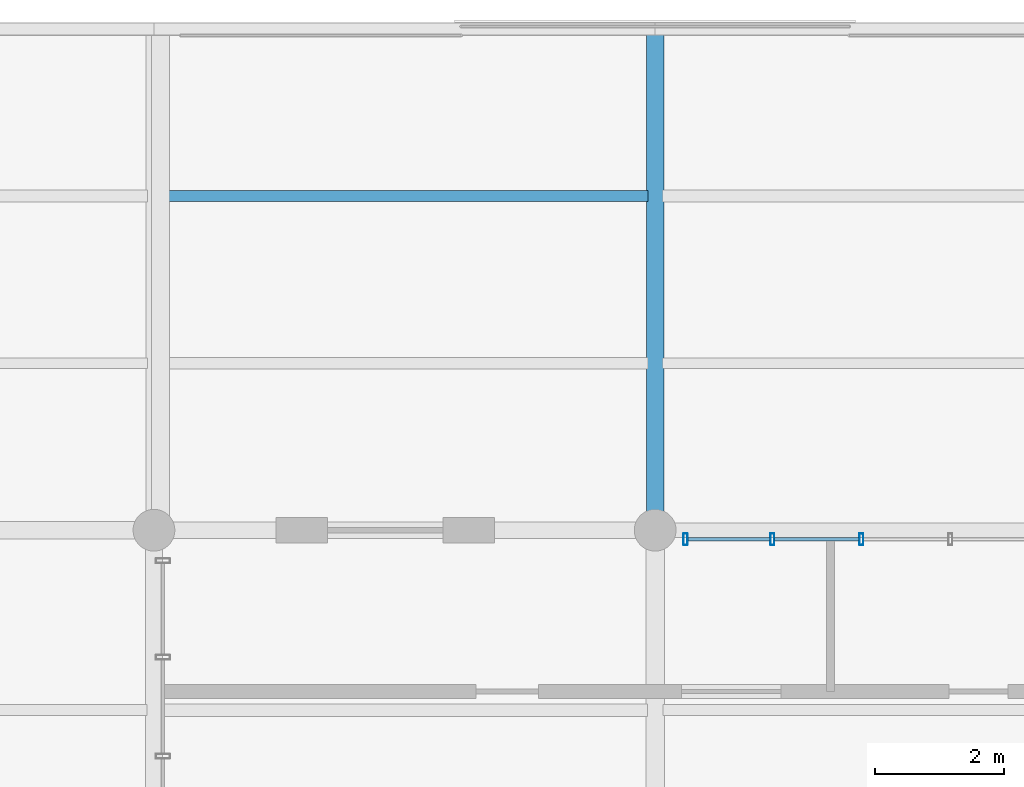
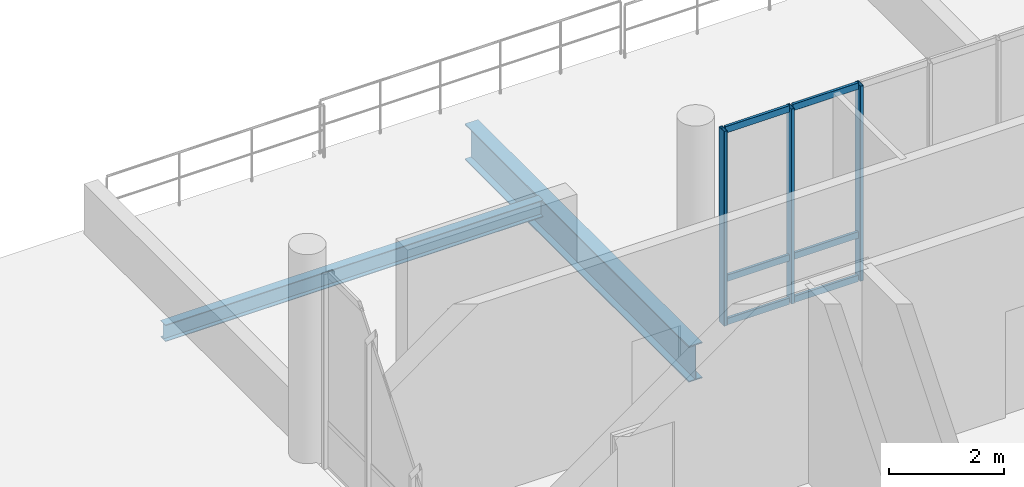
# One storey, part 46 of 66: 9 members, 2 beams, 1 element without a shape of its own.
"""IFC4 building model written with IfcOpenShell, lengths in metres."""

from ifc_helpers import new_model, si_unit, direction, frame, origin_with_axes, origin_2d_with_axis, place, context, subcontext, project, spatial, hollow_rectangle, i_section, extrude, material, material_profile, profile_set, type_object, element, aggregate, save


model = new_model("IFC4")

# Units and contexts
model_context = context("Model", 3, precision=1e-05, world=origin_with_axes(), true_north=direction((0.0, 1.0)))
body_context = subcontext(model_context, "Body", "Model", "MODEL_VIEW")
ifc_project = project(units=[si_unit("LENGTHUNIT", "METRE"), si_unit("AREAUNIT", "SQUARE_METRE"), si_unit("VOLUMEUNIT", "CUBIC_METRE"), si_unit("PLANEANGLEUNIT", "RADIAN"), si_unit("MASSUNIT", "GRAM", prefix="KILO"), si_unit("THERMODYNAMICTEMPERATUREUNIT", "KELVIN")], contexts=[model_context])

# Site, building, storey
site_placement = place(None, origin_with_axes())
site = spatial("IfcSite", under=ifc_project, at=site_placement, CompositionType="ELEMENT")
building_placement = place(site_placement, origin_with_axes())
building = spatial("IfcBuilding", under=site, at=building_placement, Name="Montbau Bow Law Courts", CompositionType="ELEMENT")
storey_placement = place(building_placement, frame((0.0, 0.0, 34.5), z_axis=(0.0, 0.0, 1.0), x_axis=(1.0, 0.0, 0.0)))
storey = spatial("IfcBuildingStorey", under=building, at=storey_placement, Name="L07", CompositionType="ELEMENT", Elevation=34.5)

# Beams
ifc_material_1 = material(Name="Steel CSA G40.21 Grade 350W (350 MPa)", Category="steel")
ifc_material_profile_1 = material_profile(ifc_material_1, i_section(OverallWidth=0.267, OverallDepth=0.766, WebThickness=0.0149, FlangeThickness=0.0236, at=origin_2d_with_axis()), Name="W760X185", Category="Main", Priority=0)
ifc_profile_set_1 = profile_set([ifc_material_profile_1], Name="Steel CSA G40.21 Grade 350W (350 MPa)")
beam_type_1 = type_object("IfcBeamType", Name="B-FLR-03", PredefinedType="BEAM", material=ifc_profile_set_1)
beam_1_placement = place(None, frame((154.8, 103.2, 33.757), z_axis=(0.0, 1.0, 0.0), x_axis=(-1.0, 0.0, 0.0)))
element("IfcBeam", 1, at=beam_1_placement, inside=storey, type_object=beam_type_1, Name="BM-L07-S1369:bm2_1372", PredefinedType="BEAM", context=body_context, shape_type="SweptSolid", body=[
    extrude(i_section(OverallWidth=0.267, OverallDepth=0.766, WebThickness=0.0149, FlangeThickness=0.0236, at=origin_2d_with_axis()), origin_with_axes(), (0.0, 0.0, 1.0), 7.8),
])
ifc_material_profile_2 = material_profile(ifc_material_1, i_section(OverallWidth=0.172, OverallDepth=0.358, WebThickness=0.0079, FlangeThickness=0.0131, at=origin_2d_with_axis()), Name="W360X57", Category="Main", Priority=0)
ifc_profile_set_2 = profile_set([ifc_material_profile_2], Name="Steel CSA G40.21 Grade 350W (350 MPa)")
beam_type_2 = type_object("IfcBeamType", Name="B-JST-03", PredefinedType="JOIST", material=ifc_profile_set_2)
beam_2_placement = place(None, frame((147.103, 108.4, 33.961), z_axis=(1.0, 0.0, 0.0), x_axis=(0.0, 1.0, 0.0)))
element("IfcBeam", 2, at=beam_2_placement, inside=storey, type_object=beam_type_2, Name="JST-L07-S0750:jst2_0750", PredefinedType="JOIST", context=body_context, shape_type="SweptSolid", body=[
    extrude(i_section(OverallWidth=0.172, OverallDepth=0.358, WebThickness=0.0079, FlangeThickness=0.0131, at=origin_2d_with_axis()), origin_with_axes(), (0.0, 0.0, 1.0), 7.588),
])

# Curtain wall, members
ifc_material_2 = material(Name="Thermally Broken Extruded Aluminium AA 6063-T6", Category="aluminium")
curtain_wall_type = type_object("IfcCurtainWallType", Name="CW-NCK-03", PredefinedType="NOTDEFINED", material=ifc_material_2)
curtain_wall_placement = place(None, frame((155.24, 103.06, 34.5), z_axis=(0.0, 0.0, 1.0), x_axis=(1.0, 0.0, 0.0)))
curtain_wall = element("IfcCurtainWall", 3, at=curtain_wall_placement, inside=storey, type_object=curtain_wall_type, Name="CW-L07-367:cw_0367", PredefinedType="NOTDEFINED")
ifc_material_profile_3 = material_profile(ifc_material_2, hollow_rectangle(XDim=0.065, YDim=0.18, WallThickness=0.005, InnerFilletRadius=0.01, OuterFilletRadius=0.005, at=origin_2d_with_axis()), Name="CWM-180X65", Category="Main", Priority=0)
ifc_profile_set_3 = profile_set([ifc_material_profile_3], Name="Thermally Broken Extruded Aluminium AA 6063-T6")
member_type_1 = type_object("IfcMemberType", Name="M-MUL-02", PredefinedType="MULLION", material=ifc_profile_set_3)
member_1_placement = place(None, frame((155.273, 103.06, 34.5), z_axis=(0.0, 0.0, 1.0), x_axis=(1.0, 0.0, 0.0)))
member_1 = element("IfcMember", 4, at=member_1_placement, type_object=member_type_1, Name="CW-L07-367-M01:cw_0367_M01", PredefinedType="MULLION", context=body_context, shape_type="SweptSolid", body=[
    extrude(hollow_rectangle(XDim=0.065, YDim=0.18, WallThickness=0.005, InnerFilletRadius=0.01, OuterFilletRadius=0.005, at=origin_2d_with_axis()), origin_with_axes(), (0.0, 0.0, 1.0), 4.14),
])
member_2_placement = place(None, frame((156.624, 103.06, 34.5), z_axis=(0.0, 0.0, 1.0), x_axis=(1.0, 0.0, 0.0)))
member_2 = element("IfcMember", 5, at=member_2_placement, type_object=member_type_1, Name="CW-L07-367-M02:cw_0367_M02", PredefinedType="MULLION", context=body_context, shape_type="SweptSolid", body=[
    extrude(hollow_rectangle(XDim=0.065, YDim=0.18, WallThickness=0.005, InnerFilletRadius=0.01, OuterFilletRadius=0.005, at=origin_2d_with_axis()), origin_with_axes(), (0.0, 0.0, 1.0), 4.14),
])
member_3_placement = place(None, frame((158.008, 103.06, 34.5), z_axis=(0.0, 0.0, 1.0), x_axis=(1.0, 0.0, 0.0)))
member_3 = element("IfcMember", 6, at=member_3_placement, type_object=member_type_1, Name="CW-L07-367-M03:cw_0367_M03", PredefinedType="MULLION", context=body_context, shape_type="SweptSolid", body=[
    extrude(hollow_rectangle(XDim=0.065, YDim=0.18, WallThickness=0.005, InnerFilletRadius=0.01, OuterFilletRadius=0.005, at=origin_2d_with_axis()), origin_with_axes(), (0.0, 0.0, 1.0), 4.14),
])
ifc_material_profile_4 = material_profile(ifc_material_2, hollow_rectangle(XDim=0.055, YDim=0.14, WallThickness=0.004, InnerFilletRadius=0.008, OuterFilletRadius=0.004, at=origin_2d_with_axis()), Name="CWT-140X55", Category="Main", Priority=0)
ifc_profile_set_4 = profile_set([ifc_material_profile_4], Name="Thermally Broken Extruded Aluminium AA 6063-T6")
member_type_2 = type_object("IfcMemberType", Name="M-TRN-02", PredefinedType="USERDEFINED", material=ifc_profile_set_4)
member_4_placement = place(None, frame((155.308, 103.06, 34.528), z_axis=(1.0, 0.0, 0.0), x_axis=(0.0, 1.0, 0.0)))
member_4 = element("IfcMember", 7, at=member_4_placement, type_object=member_type_2, Name="CW-L07-367-T01-1:cw_0367_T01_1", ObjectType="TRANSOM", PredefinedType="USERDEFINED", context=body_context, shape_type="SweptSolid", body=[
    extrude(hollow_rectangle(XDim=0.055, YDim=0.14, WallThickness=0.004, InnerFilletRadius=0.008, OuterFilletRadius=0.004, at=origin_2d_with_axis()), origin_with_axes(), (0.0, 0.0, 1.0), 1.281),
])
member_5_placement = place(None, frame((155.308, 103.06, 35.45), z_axis=(1.0, 0.0, 0.0), x_axis=(0.0, 1.0, 0.0)))
member_5 = element("IfcMember", 8, at=member_5_placement, type_object=member_type_2, Name="CW-L07-367-T01-2:cw_0367_T01_2", ObjectType="TRANSOM", PredefinedType="USERDEFINED", context=body_context, shape_type="SweptSolid", body=[
    extrude(hollow_rectangle(XDim=0.055, YDim=0.14, WallThickness=0.004, InnerFilletRadius=0.008, OuterFilletRadius=0.004, at=origin_2d_with_axis()), origin_with_axes(), (0.0, 0.0, 1.0), 1.281),
])
member_6_placement = place(None, frame((155.308, 103.06, 38.612), z_axis=(1.0, 0.0, 0.0), x_axis=(0.0, 1.0, 0.0)))
member_6 = element("IfcMember", 9, at=member_6_placement, type_object=member_type_2, Name="CW-L07-367-T01-3:cw_0367_T01_3", ObjectType="TRANSOM", PredefinedType="USERDEFINED", context=body_context, shape_type="SweptSolid", body=[
    extrude(hollow_rectangle(XDim=0.055, YDim=0.14, WallThickness=0.004, InnerFilletRadius=0.008, OuterFilletRadius=0.004, at=origin_2d_with_axis()), origin_with_axes(), (0.0, 0.0, 1.0), 1.281),
])
member_7_placement = place(None, frame((156.658, 103.06, 34.528), z_axis=(1.0, 0.0, 0.0), x_axis=(0.0, 1.0, 0.0)))
member_7 = element("IfcMember", 10, at=member_7_placement, type_object=member_type_2, Name="CW-L07-367-T02-1:cw_0367_T02_1", ObjectType="TRANSOM", PredefinedType="USERDEFINED", context=body_context, shape_type="SweptSolid", body=[
    extrude(hollow_rectangle(XDim=0.055, YDim=0.14, WallThickness=0.004, InnerFilletRadius=0.008, OuterFilletRadius=0.004, at=origin_2d_with_axis()), origin_with_axes(), (0.0, 0.0, 1.0), 1.315),
])
member_8_placement = place(None, frame((156.658, 103.06, 35.45), z_axis=(1.0, 0.0, 0.0), x_axis=(0.0, 1.0, 0.0)))
member_8 = element("IfcMember", 11, at=member_8_placement, type_object=member_type_2, Name="CW-L07-367-T02-2:cw_0367_T02_2", ObjectType="TRANSOM", PredefinedType="USERDEFINED", context=body_context, shape_type="SweptSolid", body=[
    extrude(hollow_rectangle(XDim=0.055, YDim=0.14, WallThickness=0.004, InnerFilletRadius=0.008, OuterFilletRadius=0.004, at=origin_2d_with_axis()), origin_with_axes(), (0.0, 0.0, 1.0), 1.315),
])
member_9_placement = place(None, frame((156.658, 103.06, 38.612), z_axis=(1.0, 0.0, 0.0), x_axis=(0.0, 1.0, 0.0)))
member_9 = element("IfcMember", 12, at=member_9_placement, type_object=member_type_2, Name="CW-L07-367-T02-3:cw_0367_T02_3", ObjectType="TRANSOM", PredefinedType="USERDEFINED", context=body_context, shape_type="SweptSolid", body=[
    extrude(hollow_rectangle(XDim=0.055, YDim=0.14, WallThickness=0.004, InnerFilletRadius=0.008, OuterFilletRadius=0.004, at=origin_2d_with_axis()), origin_with_axes(), (0.0, 0.0, 1.0), 1.315),
])
aggregate(curtain_wall, [member_1, member_2, member_3, member_4, member_5, member_6, member_7, member_8, member_9])

save(model, "model.ifc")
